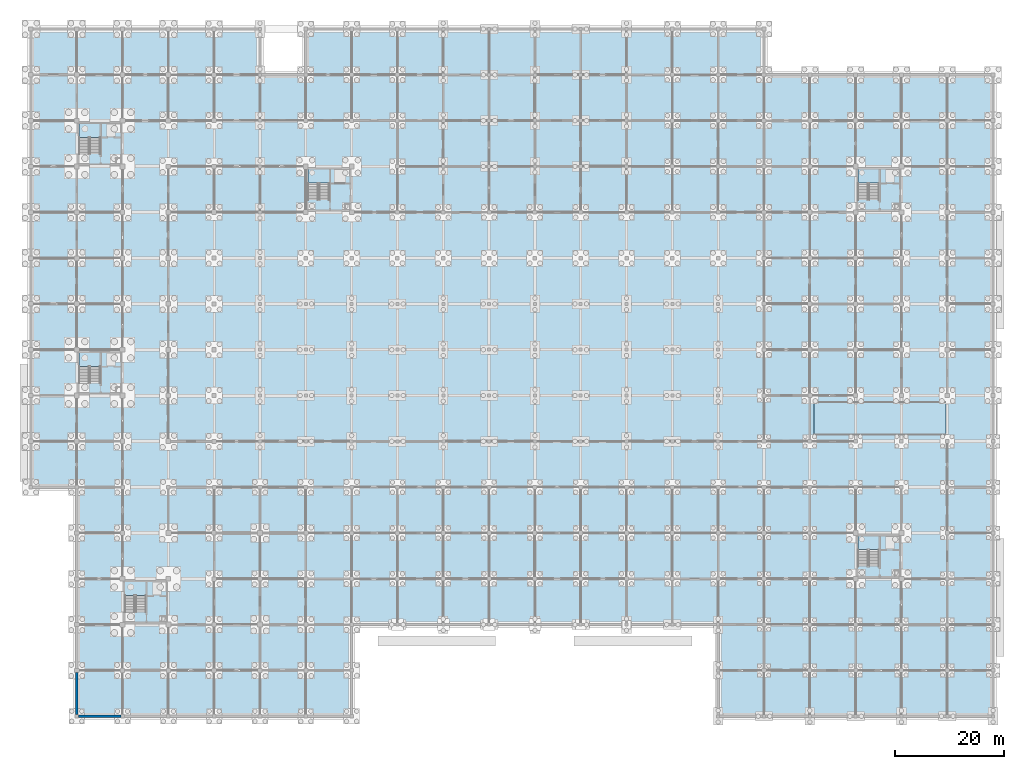
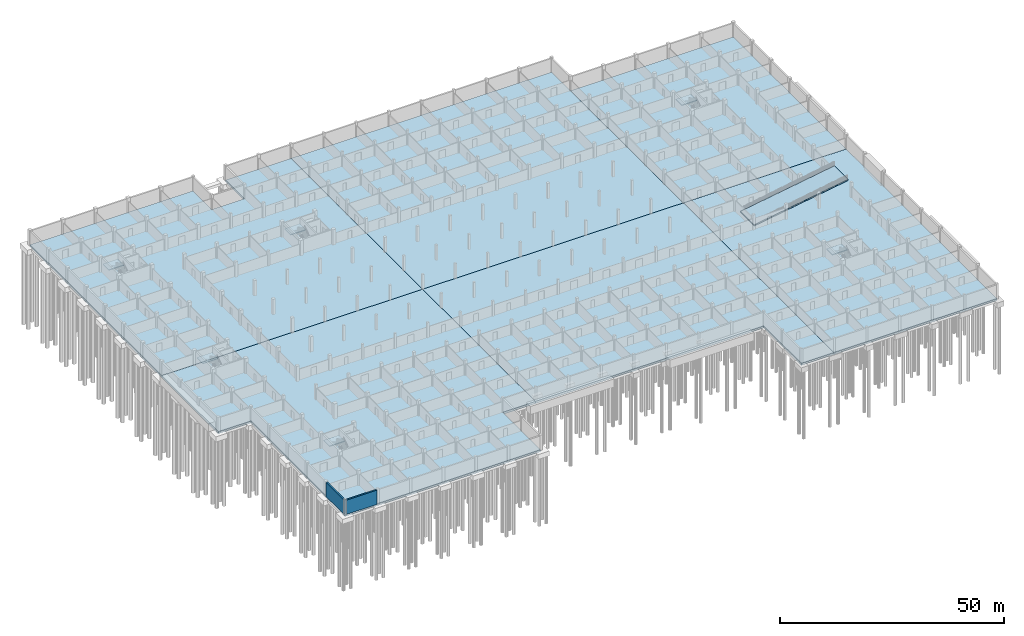
# One storey, part 18 of 43: 13 slabs, 2 walls, 6 elements without a shape of their own.
"""IFC4 building model written with IfcOpenShell, lengths in metres."""

from ifc_helpers import new_model, si_unit, direction, frame, frame_2d, origin, place, context, subcontext, project, spatial, polyline, rectangle, outline, extrude, material, layer, layer_set, type_object, element, aggregate, save


model = new_model("IFC4")

# Units and contexts
model_context = context("Model", 3, precision=1e-05, world=origin(), true_north=direction((0.0, 1.0)))
body_context = subcontext(model_context, "Body", "Model", "MODEL_VIEW")
ifc_project = project(units=[si_unit("LENGTHUNIT", "METRE"), si_unit("AREAUNIT", "SQUARE_METRE"), si_unit("VOLUMEUNIT", "CUBIC_METRE"), si_unit("PLANEANGLEUNIT", "RADIAN"), si_unit("MASSUNIT", "GRAM", prefix="KILO")], contexts=[model_context])

# Site, building, storey
site_placement = place(None, origin())
site = spatial("IfcSite", under=ifc_project, at=site_placement, CompositionType="ELEMENT")
building_placement = place(site_placement, origin())
building = spatial("IfcBuilding", under=site, at=building_placement, Name="Varnapada Polytechnic", CompositionType="ELEMENT")
storey_placement = place(building_placement, frame((0.0, 0.0, -4.199951171875)))
storey = spatial("IfcBuildingStorey", under=building, at=storey_placement, Name="B1", CompositionType="ELEMENT", Elevation=-4.199951171875)

# Slabs
ifc_material = material(Name="Concrete C40/50", Category="concrete")
ifc_layer_1 = layer(ifc_material, 0.60009765625)
ifc_layer_set_1 = layer_set([ifc_layer_1], Name="Concrete C40/50")
slab_type_1 = type_object("IfcSlabType", Name="Basement raft base slab BS-01", PredefinedType="BASESLAB", material=ifc_layer_set_1)
slab_1_placement = place(storey_placement, frame((0.0, 0.0, -0.60009765625)))
element("IfcSlab", 1, at=slab_1_placement, inside=storey, type_object=slab_type_1, Name="B1 B1_PODIUM slab 1.1", PredefinedType="BASESLAB", context=body_context, shape_type="SweptSolid", body=[
    extrude(outline(polyline([(8.39990234375, 8.39990234375), (8.39990234375, 16.800048828125), (8.39990234375, 25.199951171875), (8.39990234375, 33.60009765625), (8.39990234375, 42.0), (0.0, 42.0), (0.0, 50.39990234375), (0.0, 58.800048828125), (0.0, 67.199951171875), (8.39990234375, 67.199951171875), (16.800048828125, 67.199951171875), (25.199951171875, 67.199951171875), (33.60009765625, 67.199951171875), (42.0, 67.199951171875), (50.39990234375, 67.199951171875), (58.800048828125, 67.199951171875), (67.199951171875, 67.199951171875), (67.199951171875, 58.800048828125), (67.199951171875, 50.39990234375), (67.199951171875, 42.0), (67.199951171875, 33.60009765625), (67.199951171875, 25.199951171875), (67.199951171875, 16.800048828125), (58.800048828125, 16.800048828125), (58.800048828125, 8.39990234375), (58.800048828125, 0.0), (50.39990234375, 0.0), (42.0, 0.0), (33.60009765625, 0.0), (25.199951171875, 0.0), (16.800048828125, 0.0), (8.39990234375, 0.0), (8.39990234375, 8.39990234375)])), origin(), (0.0, 0.0, 1.0), 0.60009765625),
])
slab_2_placement = place(storey_placement, frame((0.0, 0.0, -0.60009765625)))
element("IfcSlab", 2, at=slab_2_placement, inside=storey, type_object=slab_type_1, Name="B1 B1_PODIUM slab 2.1", PredefinedType="BASESLAB", context=body_context, shape_type="SweptSolid", body=[
    extrude(outline(polyline([(0.0, 100.800048828125), (0.0, 109.199951171875), (0.0, 117.60009765625), (0.0, 126.0), (8.39990234375, 126.0), (16.800048828125, 126.0), (25.199951171875, 126.0), (33.60009765625, 126.0), (42.0, 126.0), (42.0, 117.60009765625), (50.39990234375, 117.60009765625), (50.39990234375, 126.0), (58.800048828125, 126.0), (67.199951171875, 126.0), (67.199951171875, 117.60009765625), (67.199951171875, 109.199951171875), (67.199951171875, 100.800048828125), (67.199951171875, 92.39990234375), (67.199951171875, 84.0), (67.199951171875, 75.60009765625), (67.199951171875, 67.199951171875), (58.800048828125, 67.199951171875), (50.39990234375, 67.199951171875), (42.0, 67.199951171875), (33.60009765625, 67.199951171875), (25.199951171875, 67.199951171875), (16.800048828125, 67.199951171875), (8.39990234375, 67.199951171875), (0.0, 67.199951171875), (0.0, 75.60009765625), (0.0, 84.0), (0.0, 92.39990234375), (0.0, 100.800048828125)])), origin(), (0.0, 0.0, 1.0), 0.60009765625),
])
slab_3_placement = place(storey_placement, frame((0.0, 0.0, -0.60009765625)))
element("IfcSlab", 3, at=slab_3_placement, inside=storey, type_object=slab_type_1, Name="B1 B1_PODIUM slab 3.1", PredefinedType="BASESLAB", context=body_context, shape_type="SweptSolid", body=[
    extrude(outline(polyline([(67.199951171875, 50.39990234375), (67.199951171875, 58.800048828125), (67.199951171875, 67.199951171875), (75.60009765625, 67.199951171875), (84.0, 67.199951171875), (92.39990234375, 67.199951171875), (100.800048828125, 67.199951171875), (109.199951171875, 67.199951171875), (117.60009765625, 67.199951171875), (126.0, 67.199951171875), (134.39990234375, 67.199951171875), (134.39990234375, 58.800048828125), (134.39990234375, 50.39990234375), (134.39990234375, 42.0), (134.39990234375, 33.60009765625), (134.39990234375, 25.199951171875), (134.39990234375, 16.800048828125), (134.39990234375, 8.39990234375), (134.39990234375, 0.0), (126.0, 0.0), (126.0, 8.39990234375), (126.0, 16.800048828125), (117.60009765625, 16.800048828125), (109.199951171875, 16.800048828125), (100.800048828125, 16.800048828125), (92.39990234375, 16.800048828125), (84.0, 16.800048828125), (75.60009765625, 16.800048828125), (67.199951171875, 16.800048828125), (67.199951171875, 25.199951171875), (67.199951171875, 33.60009765625), (67.199951171875, 42.0), (67.199951171875, 50.39990234375)])), origin(), (0.0, 0.0, 1.0), 0.60009765625),
])
slab_4_placement = place(storey_placement, frame((0.0, 0.0, -0.60009765625)))
element("IfcSlab", 4, at=slab_4_placement, inside=storey, type_object=slab_type_1, Name="B1 B1_PODIUM slab 4.1", PredefinedType="BASESLAB", context=body_context, shape_type="SweptSolid", body=[
    extrude(outline(polyline([(67.199951171875, 75.60009765625), (67.199951171875, 84.0), (67.199951171875, 92.39990234375), (67.199951171875, 100.800048828125), (67.199951171875, 109.199951171875), (67.199951171875, 117.60009765625), (67.199951171875, 126.0), (75.60009765625, 126.0), (84.0, 126.0), (92.39990234375, 126.0), (100.800048828125, 126.0), (109.199951171875, 126.0), (117.60009765625, 126.0), (126.0, 126.0), (134.39990234375, 126.0), (134.39990234375, 117.60009765625), (134.39990234375, 109.199951171875), (134.39990234375, 100.800048828125), (134.39990234375, 92.39990234375), (134.39990234375, 84.0), (134.39990234375, 75.60009765625), (134.39990234375, 67.199951171875), (126.0, 67.199951171875), (117.60009765625, 67.199951171875), (109.199951171875, 67.199951171875), (100.800048828125, 67.199951171875), (92.39990234375, 67.199951171875), (84.0, 67.199951171875), (75.60009765625, 67.199951171875), (67.199951171875, 67.199951171875), (67.199951171875, 75.60009765625)])), origin(), (0.0, 0.0, 1.0), 0.60009765625),
])
slab_5_placement = place(storey_placement, frame((0.0, 0.0, -0.60009765625)))
element("IfcSlab", 5, at=slab_5_placement, inside=storey, type_object=slab_type_1, Name="B1 B1_PODIUM slab 5.1", PredefinedType="BASESLAB", context=body_context, shape_type="SweptSolid", body=[
    extrude(outline(polyline([(134.39990234375, 33.60009765625), (134.39990234375, 42.0), (134.39990234375, 50.39990234375), (134.39990234375, 58.800048828125), (134.39990234375, 67.199951171875), (142.800048828125, 67.199951171875), (151.199951171875, 67.199951171875), (159.60009765625, 67.199951171875), (168.0, 67.199951171875), (176.39990234375, 67.199951171875), (176.39990234375, 58.800048828125), (176.39990234375, 50.39990234375), (176.39990234375, 42.0), (176.39990234375, 33.60009765625), (176.39990234375, 25.199951171875), (176.39990234375, 16.800048828125), (176.39990234375, 8.39990234375), (176.39990234375, 0.0), (168.0, 0.0), (159.60009765625, 0.0), (151.199951171875, 0.0), (142.800048828125, 0.0), (134.39990234375, 0.0), (134.39990234375, 8.39990234375), (134.39990234375, 16.800048828125), (134.39990234375, 25.199951171875), (134.39990234375, 33.60009765625)])), origin(), (0.0, 0.0, 1.0), 0.60009765625),
])
slab_6_placement = place(storey_placement, frame((0.0, 0.0, -0.60009765625)))
element("IfcSlab", 6, at=slab_6_placement, inside=storey, type_object=slab_type_1, Name="B1 B1_PODIUM slab 6.1", PredefinedType="BASESLAB", context=body_context, shape_type="SweptSolid", body=[
    extrude(outline(polyline([(134.39990234375, 92.39990234375), (134.39990234375, 100.800048828125), (134.39990234375, 109.199951171875), (134.39990234375, 117.60009765625), (142.800048828125, 117.60009765625), (151.199951171875, 117.60009765625), (159.60009765625, 117.60009765625), (168.0, 117.60009765625), (176.39990234375, 117.60009765625), (176.39990234375, 109.199951171875), (176.39990234375, 100.800048828125), (176.39990234375, 92.39990234375), (176.39990234375, 84.0), (176.39990234375, 75.60009765625), (176.39990234375, 67.199951171875), (168.0, 67.199951171875), (159.60009765625, 67.199951171875), (151.199951171875, 67.199951171875), (142.800048828125, 67.199951171875), (134.39990234375, 67.199951171875), (134.39990234375, 75.60009765625), (134.39990234375, 84.0), (134.39990234375, 92.39990234375)])), origin(), (0.0, 0.0, 1.0), 0.60009765625),
])
ifc_layer_2 = layer(ifc_material, 0.300048828125)
ifc_layer_set_2 = layer_set([ifc_layer_2], Name="Concrete C40/50")
slab_type_2 = type_object("IfcSlabType", Name="Basement two-way vehicle ramp structural slab SL-11", PredefinedType="FLOOR", material=ifc_layer_set_2)
slab_7_placement = place(storey_placement, frame((143.60009765625, 51.550048828125, 0.280029296875), z_axis=(-0.15989649293, 0.0, 0.987133786044), x_axis=(0.987133786044, 0.0, 0.15989649293)))
element("IfcSlab", 7, at=slab_7_placement, inside=storey, type_object=slab_type_2, Name="Basement two-way vehicle ramp structural slab SL-11", PredefinedType="FLOOR", context=body_context, shape_type="SweptSolid", body=[
    extrude(outline(polyline([(0.0, 0.0), (24.515371182734267, 0.0), (24.515371182734267, 6.099853515625), (0.0, 6.099853515625), (0.0, 0.0)])), origin(), (0.0, 0.0, -1.0), 0.300048828125),
])

# Stair, slab
stair_type_1 = type_object("IfcStairType", Name="Core Exit Stair ST-A", PredefinedType="HALF_TURN_STAIR", material=ifc_material)
stair_1_placement = place(storey_placement, origin())
stair_1 = element("IfcStair", 8, at=stair_1_placement, inside=storey, type_object=stair_type_1, Name="B1 Core C1 Exit Stair", PredefinedType="HALF_TURN_STAIR")
ifc_layer_3 = layer(ifc_material, 0.199951171875)
ifc_layer_set_3 = layer_set([ifc_layer_3], Name="Concrete C40/50")
slab_type_3 = type_object("IfcSlabType", Name="Stair Half Landing SLD-01", PredefinedType="LANDING", material=ifc_layer_set_3)
slab_8_placement = place(storey_placement, frame((0.0, 0.0, 1.89990234375)))
slab_8 = element("IfcSlab", 9, at=slab_8_placement, type_object=slab_type_3, Name="ST-1 landing 1", PredefinedType="LANDING", context=body_context, shape_type="SweptSolid", body=[
    extrude(outline(polyline([(12.699951171875, 106.1298828125), (12.699951171875, 108.800048828125), (8.800048828125, 108.800048828125), (8.800048828125, 106.1298828125), (12.699951171875, 106.1298828125)])), origin(), (0.0, 0.0, 1.0), 0.199951171875),
])
aggregate(stair_1, [slab_8])

stair_2_placement = place(storey_placement, origin())
stair_2 = element("IfcStair", 10, at=stair_2_placement, inside=storey, type_object=stair_type_1, Name="B1 Core C2 Exit Stair", PredefinedType="HALF_TURN_STAIR")
slab_9_placement = place(storey_placement, frame((0.0, 0.0, 1.89990234375)))
slab_9 = element("IfcSlab", 11, at=slab_9_placement, type_object=slab_type_3, Name="ST-2 landing 1", PredefinedType="LANDING", context=body_context, shape_type="SweptSolid", body=[
    extrude(outline(polyline([(12.699951171875, 64.1298828125), (12.699951171875, 66.800048828125), (8.800048828125, 66.800048828125), (8.800048828125, 64.1298828125), (12.699951171875, 64.1298828125)])), origin(), (0.0, 0.0, 1.0), 0.199951171875),
])
aggregate(stair_2, [slab_9])

stair_3_placement = place(storey_placement, origin())
stair_3 = element("IfcStair", 12, at=stair_3_placement, inside=storey, type_object=stair_type_1, Name="B1 Core C3 Exit Stair", PredefinedType="HALF_TURN_STAIR")
slab_10_placement = place(storey_placement, frame((0.0, 0.0, 1.89990234375)))
slab_10 = element("IfcSlab", 13, at=slab_10_placement, type_object=slab_type_3, Name="ST-3 landing 1", PredefinedType="LANDING", context=body_context, shape_type="SweptSolid", body=[
    extrude(outline(polyline([(21.10009765625, 22.1298828125), (21.10009765625, 24.800048828125), (17.199951171875, 24.800048828125), (17.199951171875, 22.1298828125), (21.10009765625, 22.1298828125)])), origin(), (0.0, 0.0, 1.0), 0.199951171875),
])
aggregate(stair_3, [slab_10])

stair_type_2 = type_object("IfcStairType", Name="Core Exit Stair ST-B", PredefinedType="HALF_TURN_STAIR", material=ifc_material)
stair_4_placement = place(storey_placement, origin())
stair_4 = element("IfcStair", 14, at=stair_4_placement, inside=storey, type_object=stair_type_2, Name="B1 Core C4 Exit Stair", PredefinedType="HALF_TURN_STAIR")
ifc_layer_4 = layer(ifc_material, 0.219970703125)
ifc_layer_set_4 = layer_set([ifc_layer_4], Name="Concrete C40/50")
slab_type_4 = type_object("IfcSlabType", Name="Stair Half Landing SLD-02", PredefinedType="LANDING", material=ifc_layer_set_4)
slab_11_placement = place(storey_placement, frame((0.0, 0.0, 1.8798828125)))
slab_11 = element("IfcSlab", 15, at=slab_11_placement, type_object=slab_type_4, Name="ST-4 landing 1", PredefinedType="LANDING", context=body_context, shape_type="SweptSolid", body=[
    extrude(outline(polyline([(54.699951171875, 97.72998046875), (54.699951171875, 100.39990234375), (50.800048828125, 100.39990234375), (50.800048828125, 97.72998046875), (54.699951171875, 97.72998046875)])), origin(), (0.0, 0.0, 1.0), 0.219970703125),
])
aggregate(stair_4, [slab_11])

stair_5_placement = place(storey_placement, origin())
stair_5 = element("IfcStair", 16, at=stair_5_placement, inside=storey, type_object=stair_type_2, Name="B1 Core C5 Exit Stair", PredefinedType="HALF_TURN_STAIR")
slab_12_placement = place(storey_placement, frame((0.0, 0.0, 1.8798828125)))
slab_12 = element("IfcSlab", 17, at=slab_12_placement, type_object=slab_type_4, Name="ST-5 landing 1", PredefinedType="LANDING", context=body_context, shape_type="SweptSolid", body=[
    extrude(outline(polyline([(155.5, 97.72998046875), (155.5, 100.39990234375), (151.60009765625, 100.39990234375), (151.60009765625, 97.72998046875), (155.5, 97.72998046875)])), origin(), (0.0, 0.0, 1.0), 0.219970703125),
])
aggregate(stair_5, [slab_12])

stair_6_placement = place(storey_placement, origin())
stair_6 = element("IfcStair", 18, at=stair_6_placement, inside=storey, type_object=stair_type_2, Name="B1 Core C6 Exit Stair", PredefinedType="HALF_TURN_STAIR")
slab_13_placement = place(storey_placement, frame((0.0, 0.0, 1.8798828125)))
slab_13 = element("IfcSlab", 19, at=slab_13_placement, type_object=slab_type_4, Name="ST-6 landing 1", PredefinedType="LANDING", context=body_context, shape_type="SweptSolid", body=[
    extrude(outline(polyline([(155.5, 30.530029296875), (155.5, 33.199951171875), (151.60009765625, 33.199951171875), (151.60009765625, 30.530029296875), (155.5, 30.530029296875)])), origin(), (0.0, 0.0, 1.0), 0.219970703125),
])
aggregate(stair_6, [slab_13])

# Walls
ifc_layer_5 = layer(ifc_material, 0.39990234375)
ifc_layer_set_5 = layer_set([ifc_layer_5], Name="Concrete C40/50")
wall_type = type_object("IfcWallType", Name="Wall RW-01", PredefinedType="STANDARD", material=ifc_layer_set_5)
wall_1_placement = place(storey_placement, frame((16.47509765625, 0.0, 0.0), z_axis=(0.0, 0.0, 1.0), x_axis=(-1.0, 0.0, 0.0)))
element("IfcWall", 20, at=wall_1_placement, inside=storey, type_object=wall_type, Name="B1 perimeter retaining wall 13", PredefinedType="STANDARD", context=body_context, shape_type="SweptSolid", body=[
    extrude(rectangle(XDim=7.75, YDim=0.39990234375, at=frame_2d((3.875, 0.0))), origin(), (0.0, 0.0, 1.0), 3.8798828125),
])
wall_2_placement = place(storey_placement, frame((8.39990234375, 0.324951171875, 0.0), z_axis=(0.0, 0.0, 1.0), x_axis=(0.0, 1.0, 0.0)))
element("IfcWall", 21, at=wall_2_placement, inside=storey, type_object=wall_type, Name="B1 perimeter retaining wall 14", PredefinedType="STANDARD", context=body_context, shape_type="SweptSolid", body=[
    extrude(rectangle(XDim=7.699951171875, YDim=0.39990234375, at=frame_2d((3.85009765625, 0.0))), origin(), (0.0, 0.0, 1.0), 3.8798828125),
])

save(model, "model.ifc")
